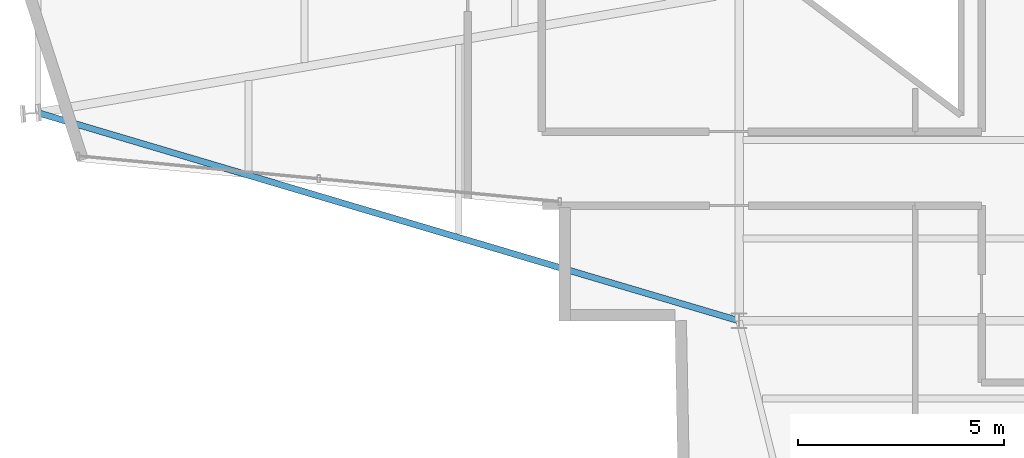
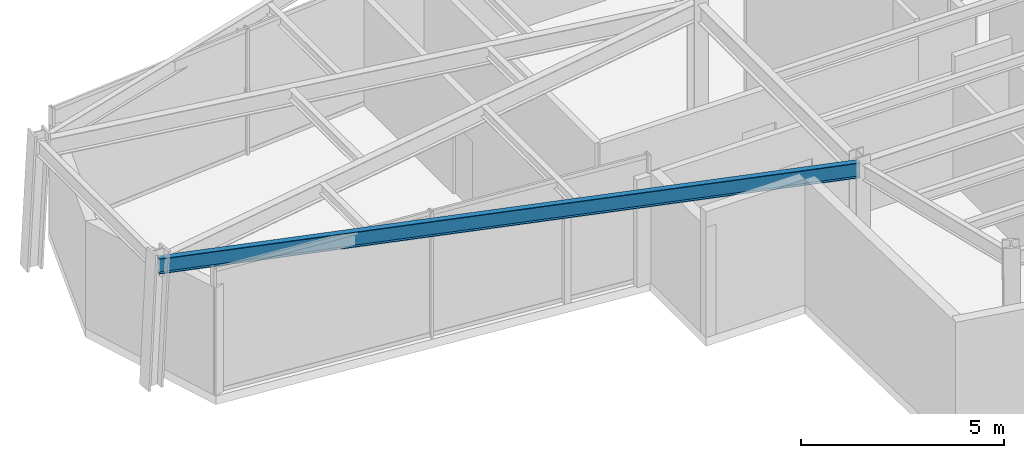
# One storey, part 3 of 21: 1 beam.
"""IFC4 building model written with IfcOpenShell, lengths in metres."""

from ifc_helpers import new_model, si_unit, direction, frame, origin, origin_2d, place, context, subcontext, project, spatial, i_section, extrude, material, material_profile, profile_set, type_object, element, save


model = new_model("IFC4")

# Units and contexts
model_context = context("Model", 3, precision=1e-05, world=origin(), true_north=direction((0.0, 1.0)))
body_context = subcontext(model_context, "Body", "Model", "MODEL_VIEW")
ifc_project = project(units=[si_unit("LENGTHUNIT", "METRE"), si_unit("AREAUNIT", "SQUARE_METRE"), si_unit("VOLUMEUNIT", "CUBIC_METRE"), si_unit("PLANEANGLEUNIT", "RADIAN"), si_unit("MASSUNIT", "GRAM", prefix="KILO")], contexts=[model_context])

# Site, building, storey
site_placement = place(None, origin())
site = spatial("IfcSite", under=ifc_project, at=site_placement, CompositionType="ELEMENT")
building_placement = place(site_placement, origin())
building = spatial("IfcBuilding", under=site, at=building_placement, Name="Veymaron Broadcast Tower", CompositionType="ELEMENT")
storey_placement = place(building_placement, frame((0.0, 0.0, 232.35009765625)))
storey = spatial("IfcBuildingStorey", under=building, at=storey_placement, Name="L54", CompositionType="ELEMENT", Elevation=232.35009765625)

# Beam
ifc_material = material(Name="Structural steel ASTM A992 Gr 50", Category="steel")
ifc_material_profile = material_profile(ifc_material, i_section(OverallWidth=0.154052734375, OverallDepth=0.458984375, WebThickness=0.009033203125, FlangeThickness=0.015380859375, at=origin_2d()), Name="W460X68")
ifc_profile_set = profile_set([ifc_material_profile], Name="Structural steel ASTM A992 Gr 50")
beam_type = type_object("IfcBeamType", Name="BM-SP2", PredefinedType="SPANDREL", material=ifc_profile_set)
beam_placement = place(storey_placement, frame((14.14794921875, 21.06005859375, 3.560302734375), z_axis=(0.958681440193, -0.284481802984, 0.0), x_axis=(0.284481802984, 0.958681440193, 0.0)))
element("IfcBeam", 1, at=beam_placement, inside=storey, type_object=beam_type, Name="L54 primary structural floor girder", PredefinedType="SPANDREL", context=body_context, shape_type="SweptSolid", body=[
    extrude(i_section(OverallWidth=0.154052734375, OverallDepth=0.458984375, WebThickness=0.009033203125, FlangeThickness=0.015380859375, at=origin_2d()), origin(), (0.0, 0.0, 1.0), 17.786865234375),
])

save(model, "model.ifc")
